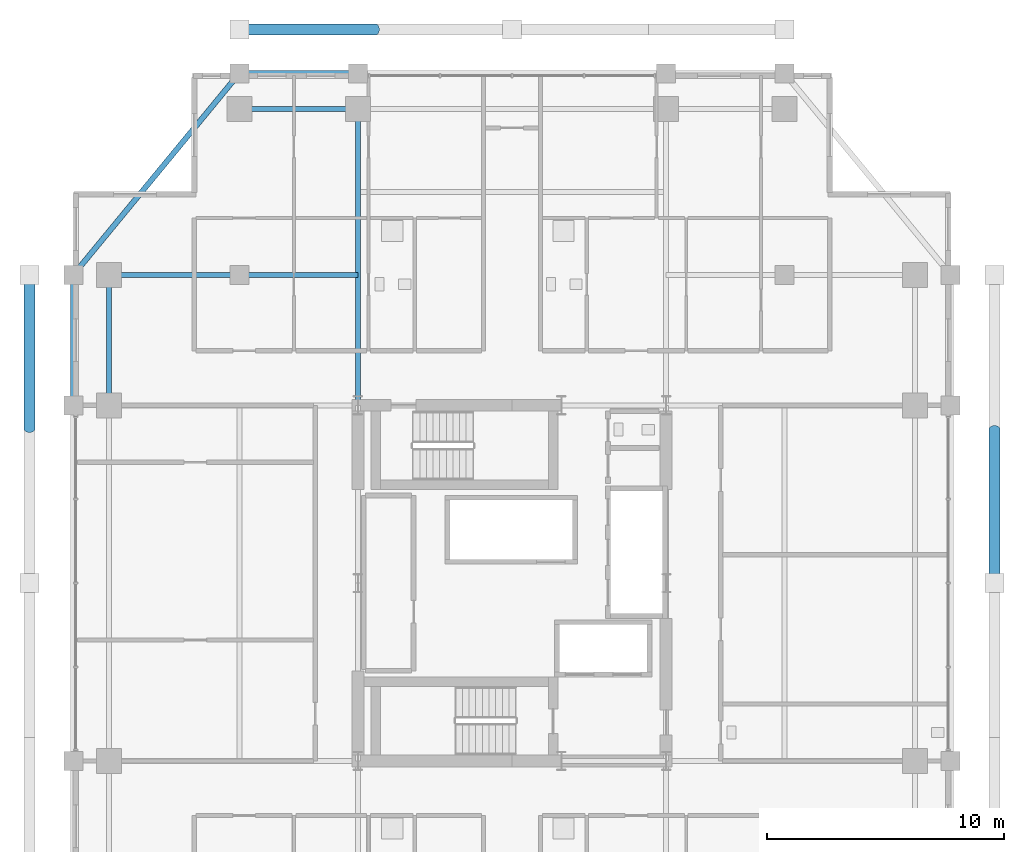
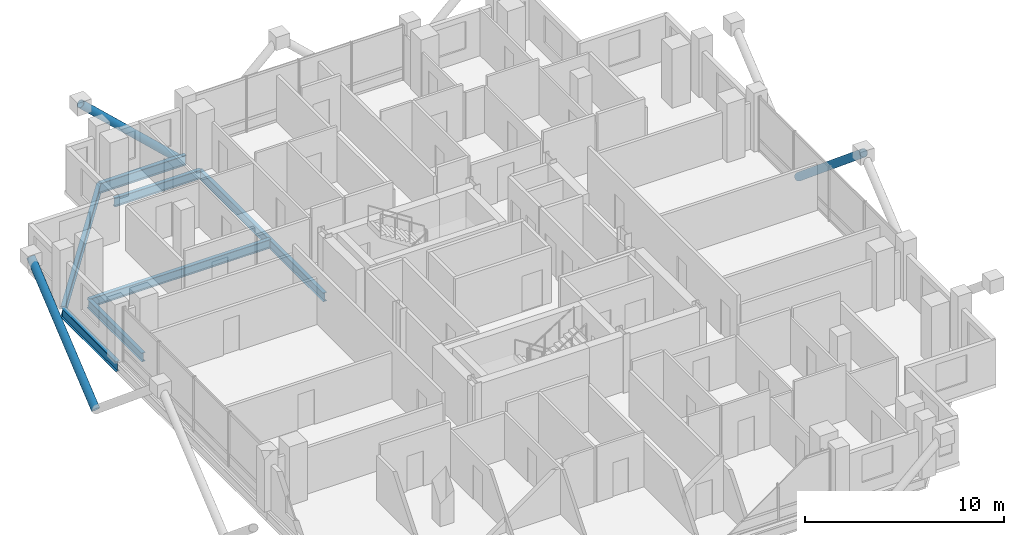
# One storey, part 12 of 24: 8 beams, 3 members.
"""IFC4 building model written with IfcOpenShell, lengths in metres."""

from ifc_helpers import new_model, si_unit, direction, frame, origin, origin_2d, place, context, subcontext, project, spatial, hollow_circle, i_section, extrude, material, material_profile, profile_set, type_object, element, save


model = new_model("IFC4")

# Units and contexts
model_context = context("Model", 3, precision=1e-05, world=origin(), true_north=direction((0.0, 1.0)))
body_context = subcontext(model_context, "Body", "Model", "MODEL_VIEW")
ifc_project = project(units=[si_unit("LENGTHUNIT", "METRE"), si_unit("AREAUNIT", "SQUARE_METRE"), si_unit("VOLUMEUNIT", "CUBIC_METRE"), si_unit("PLANEANGLEUNIT", "RADIAN"), si_unit("MASSUNIT", "GRAM", prefix="KILO")], contexts=[model_context])

# Site, building, storey
site_placement = place(None, origin())
site = spatial("IfcSite", under=ifc_project, at=site_placement, CompositionType="ELEMENT")
building_placement = place(site_placement, origin())
building = spatial("IfcBuilding", under=site, at=building_placement, Name="Barlavira Tower and Art Museum", CompositionType="ELEMENT")
storey_placement = place(building_placement, frame((0.0, 0.0, 194.39990234375)))
storey = spatial("IfcBuildingStorey", under=building, at=storey_placement, Name="L50", CompositionType="ELEMENT", Elevation=194.39990234375)

# Members
ifc_material = material(Name="Steel S355", Category="steel")
ifc_material_profile_1 = material_profile(ifc_material, hollow_circle(Radius=0.228515625, WallThickness=0.02001953125, at=origin_2d()), Name="CHS 457.0x20.0")
ifc_profile_set_1 = profile_set([ifc_material_profile_1], Name="Steel S355")
member_type = type_object("IfcMemberType", Name="Pale-Metal Exoskeleton Diagrid Tube CHS 457x20 Steel S355", PredefinedType="BRACE", material=ifc_profile_set_1)
member_placement = place(storey_placement, frame((-5.75, 23.35009765625, -1.919921875), z_axis=(-0.728950095515, 0.0, 0.684566839869), x_axis=(0.0, -1.0, 0.0)))
element("IfcMember", 1, at=member_placement, inside=storey, type_object=member_type, Name="L50 Exoskeleton Diagrid Tube N", PredefinedType="BRACE", context=body_context, shape_type="SweptSolid", body=[
    extrude(hollow_circle(Radius=0.228515625, WallThickness=0.02001953125, at=origin_2d()), origin(), (0.0, 0.0, 1.0), 7.887939453125),
])
for number, where, z_axis, x_axis, name in (
    (2, (-20.35009765625, 6.5, -1.919921875), (0.0, 0.769196053329, 0.639012857104), (-1.0, 0.0, 0.0), "L50 Exoskeleton Diagrid Tube W"),
    (3, (20.35009765625, 6.5, -1.919921875), (0.0, -0.769196053329, 0.639012857104), (1.0, 0.0, 0.0), "L50 Exoskeleton Diagrid Tube E"),
):
    element("IfcMember", number, at=place(storey_placement, frame(where, z_axis=z_axis, x_axis=x_axis)), inside=storey, type_object=member_type, Name=name, PredefinedType="BRACE", context=body_context, shape_type="SweptSolid", body=[
        extrude(hollow_circle(Radius=0.228515625, WallThickness=0.02001953125, at=origin_2d()), origin(), (0.0, 0.0, 1.0), 8.450439453125),
    ])

# Beams
ifc_material_profile_2 = material_profile(ifc_material, i_section(OverallWidth=0.22998046875, OverallDepth=0.616943359375, WebThickness=0.01318359375, FlangeThickness=0.022216796875, at=origin_2d()), Name="W610x140.0")
ifc_profile_set_2 = profile_set([ifc_material_profile_2], Name="Steel S355")
beam_type_1 = type_object("IfcBeamType", Name="Upper Shaft Spandrel Edge Beam W610x140 Steel S355", PredefinedType="SPANDREL", material=ifc_profile_set_2)
beam_1_placement = place(storey_placement, frame((-11.5, 21.5, -0.5283203125), z_axis=(1.0, 0.0, 0.0), x_axis=(0.0, 1.0, 0.0)))
element("IfcBeam", 4, at=beam_1_placement, inside=storey, type_object=beam_type_1, Name="L50 Spandrel 11", PredefinedType="SPANDREL", context=body_context, shape_type="SweptSolid", body=[
    extrude(i_section(OverallWidth=0.22998046875, OverallDepth=0.616943359375, WebThickness=0.01318359375, FlangeThickness=0.022216796875, at=origin_2d()), origin(), (0.0, 0.0, 1.0), 5.0),
])
beam_2_placement = place(storey_placement, frame((-11.5, 21.5, -0.5283203125), z_axis=(-0.635707252861, -0.771930235617, 0.0), x_axis=(0.771930235617, -0.635707252861, 0.0)))
element("IfcBeam", 5, at=beam_2_placement, inside=storey, type_object=beam_type_1, Name="L50 Spandrel 12", PredefinedType="SPANDREL", context=body_context, shape_type="SweptSolid", body=[
    extrude(i_section(OverallWidth=0.22998046875, OverallDepth=0.616943359375, WebThickness=0.01318359375, FlangeThickness=0.022216796875, at=origin_2d()), origin(), (0.0, 0.0, 1.0), 11.011474609375),
])
beam_3_placement = place(storey_placement, frame((-18.5, 7.5, -0.5283203125), z_axis=(0.0, 1.0, 0.0), x_axis=(-1.0, 0.0, 0.0)))
element("IfcBeam", 6, at=beam_3_placement, inside=storey, type_object=beam_type_1, Name="L50 Spandrel 13", PredefinedType="SPANDREL", context=body_context, shape_type="SweptSolid", body=[
    extrude(i_section(OverallWidth=0.22998046875, OverallDepth=0.616943359375, WebThickness=0.01318359375, FlangeThickness=0.022216796875, at=origin_2d()), origin(), (0.0, 0.0, 1.0), 5.5),
])
ifc_material_profile_3 = material_profile(ifc_material, i_section(OverallWidth=0.2109375, OverallDepth=0.5390625, WebThickness=0.01171875, FlangeThickness=0.018798828125, at=origin_2d()), Name="W530x109.0")
ifc_profile_set_3 = profile_set([ifc_material_profile_3], Name="Steel S355")
beam_type_2 = type_object("IfcBeamType", Name="Zone 3-4 Primary Floor Girder W530x109 Steel S355", PredefinedType="BEAM", material=ifc_profile_set_3)
beam_4_placement = place(storey_placement, frame((-11.5, 20.0, -0.489501953125), z_axis=(1.0, 0.0, 0.0), x_axis=(0.0, 1.0, 0.0)))
element("IfcBeam", 7, at=beam_4_placement, inside=storey, type_object=beam_type_2, Name="L50 Girder M-N1", PredefinedType="BEAM", context=body_context, shape_type="SweptSolid", body=[
    extrude(i_section(OverallWidth=0.2109375, OverallDepth=0.5390625, WebThickness=0.01171875, FlangeThickness=0.018798828125, at=origin_2d()), origin(), (0.0, 0.0, 1.0), 5.0),
])
beam_5_placement = place(storey_placement, frame((-17.0, 7.5, -0.489501953125), z_axis=(0.0, 1.0, 0.0), x_axis=(-1.0, 0.0, 0.0)))
element("IfcBeam", 8, at=beam_5_placement, inside=storey, type_object=beam_type_2, Name="L50 Girder M-W3", PredefinedType="BEAM", context=body_context, shape_type="SweptSolid", body=[
    extrude(i_section(OverallWidth=0.2109375, OverallDepth=0.5390625, WebThickness=0.01171875, FlangeThickness=0.018798828125, at=origin_2d()), origin(), (0.0, 0.0, 1.0), 5.5),
])
beam_6_placement = place(storey_placement, frame((-6.5, 7.5, -0.489501953125), z_axis=(0.0, 1.0, 0.0), x_axis=(-1.0, 0.0, 0.0)))
element("IfcBeam", 9, at=beam_6_placement, inside=storey, type_object=beam_type_2, Name="L50 Girder R-N1", PredefinedType="BEAM", context=body_context, shape_type="SweptSolid", body=[
    extrude(i_section(OverallWidth=0.2109375, OverallDepth=0.5390625, WebThickness=0.01171875, FlangeThickness=0.018798828125, at=origin_2d()), origin(), (0.0, 0.0, 1.0), 12.5),
])
beam_7_placement = place(storey_placement, frame((-17.0, 13.0, -0.489501953125), z_axis=(1.0, 0.0, 0.0), x_axis=(0.0, 1.0, 0.0)))
element("IfcBeam", 10, at=beam_7_placement, inside=storey, type_object=beam_type_2, Name="L50 Girder I-N1", PredefinedType="BEAM", context=body_context, shape_type="SweptSolid", body=[
    extrude(i_section(OverallWidth=0.2109375, OverallDepth=0.5390625, WebThickness=0.01171875, FlangeThickness=0.018798828125, at=origin_2d()), origin(), (0.0, 0.0, 1.0), 5.5),
])
beam_8_placement = place(storey_placement, frame((-11.5, 13.0, -0.489501953125), z_axis=(1.0, 0.0, 0.0), x_axis=(0.0, 1.0, 0.0)))
element("IfcBeam", 11, at=beam_8_placement, inside=storey, type_object=beam_type_2, Name="L50 Girder I-N2", PredefinedType="BEAM", context=body_context, shape_type="SweptSolid", body=[
    extrude(i_section(OverallWidth=0.2109375, OverallDepth=0.5390625, WebThickness=0.01171875, FlangeThickness=0.018798828125, at=origin_2d()), origin(), (0.0, 0.0, 1.0), 5.0),
])

save(model, "model.ifc")
